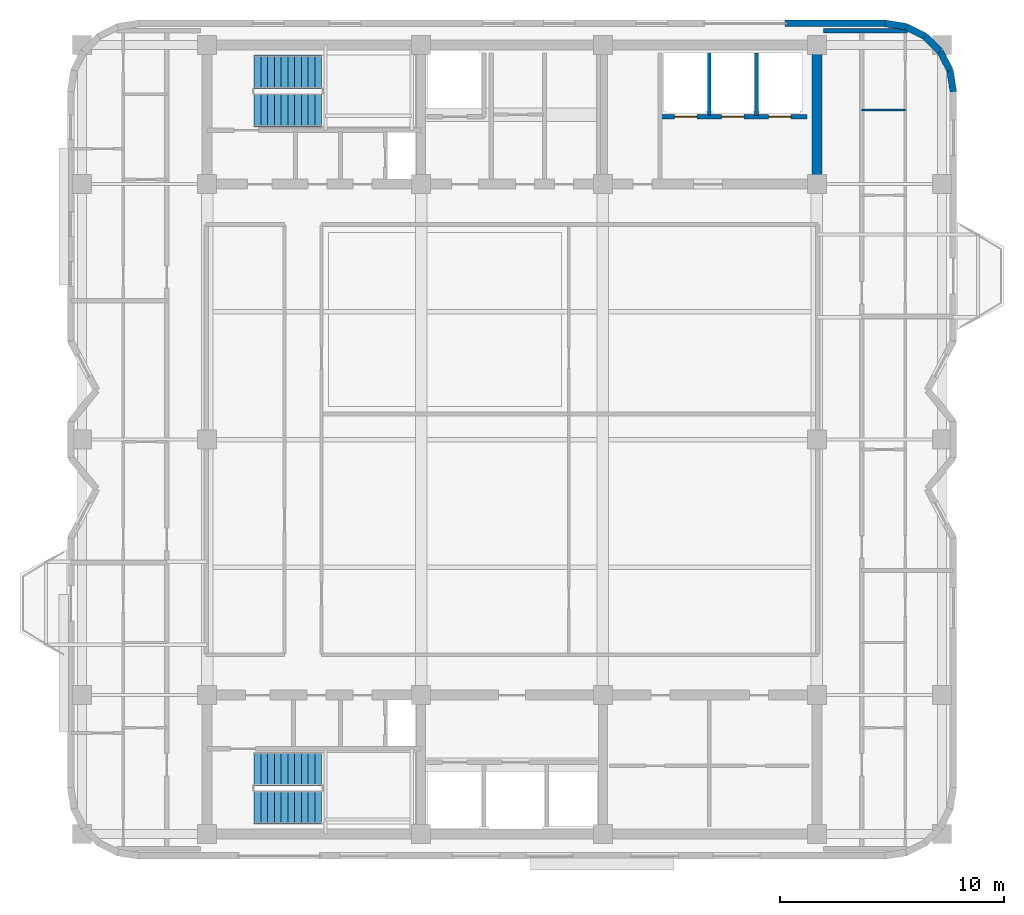
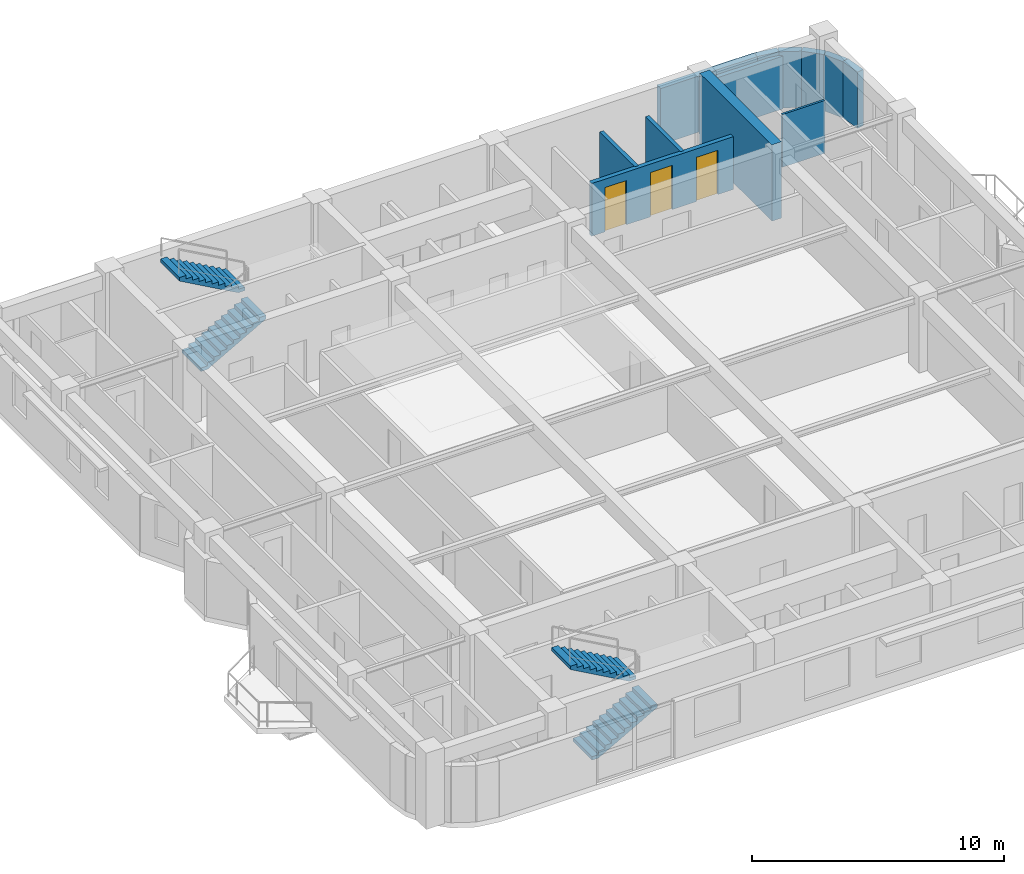
# One storey, part 10 of 12: 12 walls, 4 stair flights, 3 doors, 3 openings, 2 elements without a shape of their own.
"""IFC4 building model written with IfcOpenShell, lengths in metres."""

from ifc_helpers import new_model, si_unit, direction, frame, frame_2d, origin, place, context, subcontext, project, spatial, polyline, rectangle, outline, extrude, material, layer, layer_set, type_object, element, fill, aggregate, save


model = new_model("IFC4")

# Units and contexts
model_context = context("Model", 3, precision=1e-05, world=origin(), true_north=direction((0.0, 1.0)))
body_context = subcontext(model_context, "Body", "Model", "MODEL_VIEW")
ifc_project = project(units=[si_unit("LENGTHUNIT", "METRE"), si_unit("AREAUNIT", "SQUARE_METRE"), si_unit("VOLUMEUNIT", "CUBIC_METRE"), si_unit("PLANEANGLEUNIT", "RADIAN"), si_unit("MASSUNIT", "GRAM", prefix="KILO")], contexts=[model_context])

# Site, building, storey
site_placement = place(None, origin())
site = spatial("IfcSite", under=ifc_project, at=site_placement, CompositionType="ELEMENT")
building_placement = place(site_placement, origin())
building = spatial("IfcBuilding", under=site, at=building_placement, Name="Svetorya Sky Lyceum", CompositionType="ELEMENT")
storey_placement = place(building_placement, frame((0.0, 0.0, 236.89990234375)))
storey = spatial("IfcBuildingStorey", under=building, at=storey_placement, Name="L59", CompositionType="ELEMENT", Elevation=236.89990234375)

# Walls
ifc_material_1 = material(Name="Concrete C50/60", Category="concrete")
ifc_layer_1 = layer(ifc_material_1, 0.449951171875)
ifc_layer_set_1 = layer_set([ifc_layer_1], Name="Concrete C50/60")
wall_type_1 = type_object("IfcWallType", Name="WL-CORE-450", PredefinedType="SHEAR", material=ifc_layer_set_1)
wall_1_placement = place(storey_placement, frame((52.800048828125, 39.824951171875, 0.0), z_axis=(0.0, 0.0, 1.0), x_axis=(0.0, 1.0, 0.0)))
element("IfcWall", 1, at=wall_1_placement, inside=storey, type_object=wall_type_1, Name="L59 NC East Core Shear Wall", PredefinedType="SHEAR", context=body_context, shape_type="SweptSolid", body=[
    extrude(rectangle(XDim=5.75, YDim=0.449951171875, at=frame_2d((2.875, 0.0))), origin(), (0.0, 0.0, 1.0), 3.7001953125),
])
ifc_material_2 = material(Name="Putilovo limestone rainscreen on autoclaved cellular masonry", Category="masonry")
ifc_layer_2 = layer(ifc_material_2, 0.300048828125)
ifc_layer_set_2 = layer_set([ifc_layer_2], Name="Putilovo limestone rainscreen on autoclaved cellular masonry")
wall_type_2 = type_object("IfcWallType", Name="WL-EXT-300", PredefinedType="SOLIDWALL", material=ifc_layer_set_2)
wall_2_placement = place(storey_placement, frame((58.889892578125, 43.719970703125, 0.0), z_axis=(0.0, 0.0, 1.0), x_axis=(-0.156304114255, 0.987708977314, 0.0)))
element("IfcWall", 2, at=wall_2_placement, inside=storey, type_object=wall_type_2, Name="L59 Limestone Exterior Wall 19M", PredefinedType="SOLIDWALL", context=body_context, shape_type="SweptSolid", body=[
    extrude(rectangle(XDim=0.954345703125, YDim=0.300048828125, at=frame_2d((0.47705078125, 0.0))), origin(), (0.0, 0.0, 1.0), 2.72998046875),
])
wall_3_placement = place(storey_placement, frame((58.74072265625, 44.66259765625, 0.0), z_axis=(0.0, 0.0, 1.0), x_axis=(-0.45395644796, 0.891023873617, 0.0)))
element("IfcWall", 3, at=wall_3_placement, inside=storey, type_object=wall_type_2, Name="L59 Limestone Exterior Wall 20M", PredefinedType="SOLIDWALL", context=body_context, shape_type="SweptSolid", body=[
    extrude(rectangle(XDim=0.9541015625, YDim=0.300048828125, at=frame_2d((0.47705078125, 0.0))), origin(), (0.0, 0.0, 1.0), 2.72998046875),
])
for number, where, z_axis, x_axis, name in (
    (4, (58.3076171875, 45.5126953125, 0.0), (0.0, 0.0, 1.0), (-0.707106781187, 0.707106781187, 0.0), "L59 Limestone Exterior Wall 21M"),
    (5, (57.6328125, 46.1875, 0.0), (0.0, 0.0, 1.0), (-0.891076589373, 0.453852962833, 0.0), "L59 Limestone Exterior Wall 22M"),
):
    element("IfcWall", number, at=place(storey_placement, frame(where, z_axis=z_axis, x_axis=x_axis)), inside=storey, type_object=wall_type_2, Name=name, PredefinedType="SOLIDWALL", context=body_context, shape_type="SweptSolid", body=[
        extrude(rectangle(XDim=0.954345703125, YDim=0.300048828125, at=frame_2d((0.47705078125, 0.0))), origin(), (0.0, 0.0, 1.0), 2.72998046875),
    ])
wall_4_placement = place(storey_placement, frame((56.782470703125, 46.62060546875, 0.0), z_axis=(0.0, 0.0, 1.0), x_axis=(-0.987663181641, 0.156593229835, 0.0)))
element("IfcWall", 6, at=wall_4_placement, inside=storey, type_object=wall_type_2, Name="L59 Limestone Exterior Wall 23M", PredefinedType="SOLIDWALL", context=body_context, shape_type="SweptSolid", body=[
    extrude(rectangle(XDim=0.9541015625, YDim=0.300048828125, at=frame_2d((0.47705078125, 0.0))), origin(), (0.0, 0.0, 1.0), 2.72998046875),
])
wall_5_placement = place(storey_placement, frame((55.840087890625, 46.77001953125, 0.0), z_axis=(0.0, 0.0, 1.0), x_axis=(-1.0, 0.0, 0.0)))
element("IfcWall", 7, at=wall_5_placement, inside=storey, type_object=wall_type_2, Name="L59 Limestone Exterior Wall 24A", PredefinedType="SOLIDWALL", context=body_context, shape_type="SweptSolid", body=[
    extrude(rectangle(XDim=4.4501953125, YDim=0.300048828125, at=frame_2d((2.22509765625, 0.0))), origin(), (0.0, 0.0, 1.0), 2.72998046875),
])
ifc_material_3 = material(Name="Galvanized stud partition with moisture-resistant board", Category="gypsum")
ifc_layer_3 = layer(ifc_material_3, 0.10009765625)
ifc_layer_set_3 = layer_set([ifc_layer_3], Name="Galvanized stud partition with moisture-resistant board")
wall_type_3 = type_object("IfcWallType", Name="WL-PART-100", PredefinedType="PARTITIONING", material=ifc_layer_set_3)
wall_6_placement = place(storey_placement, frame((54.800048828125, 42.89990234375, 0.0), z_axis=(0.0, 0.0, 1.0), x_axis=(1.0, 0.0, 0.0)))
element("IfcWall", 8, at=wall_6_placement, inside=storey, type_object=wall_type_3, Name="L59 Interior Partition E3-WH2", PredefinedType="PARTITIONING", context=body_context, shape_type="SweptSolid", body=[
    extrude(rectangle(XDim=1.949951171875, YDim=0.10009765625, at=frame_2d((0.97509765625, 0.0))), origin(), (0.0, 0.0, 1.0), 2.56005859375),
])
ifc_material_4 = material(Name="Autoclaved cellular masonry blockwork with fire render", Category="masonry")
ifc_layer_4 = layer(ifc_material_4, 0.175048828125)
ifc_layer_set_4 = layer_set([ifc_layer_4], Name="Autoclaved cellular masonry blockwork with fire render")
wall_type_4 = type_object("IfcWallType", Name="WL-PART-175", PredefinedType="PARTITIONING", material=ifc_layer_set_4)
for number, where, z_axis, x_axis, name in (
    (9, (48.0, 42.64990234375, 0.0), (0.0, 0.0, 1.0), (0.0, 1.0, 0.0), "L59 Interior Partition NC-PH-D1"),
    (10, (50.10009765625, 42.64990234375, 0.0), (0.0, 0.0, 1.0), (0.0, 1.0, 0.0), "L59 Interior Partition NC-PH-D2"),
):
    element("IfcWall", number, at=place(storey_placement, frame(where, z_axis=z_axis, x_axis=x_axis)), inside=storey, type_object=wall_type_4, Name=name, PredefinedType="PARTITIONING", context=body_context, shape_type="SweptSolid", body=[
        extrude(rectangle(XDim=2.800048828125, YDim=0.175048828125, at=frame_2d((1.39990234375, 0.0))), origin(), (0.0, 0.0, 1.0), 2.56005859375),
    ])

# Wall, openings, doors
ifc_material_5 = material(Name="Autoclaved cellular masonry blockwork with gypsum plaster", Category="masonry")
ifc_layer_5 = layer(ifc_material_5, 0.199951171875)
ifc_layer_set_5 = layer_set([ifc_layer_5], Name="Autoclaved cellular masonry blockwork with gypsum plaster")
wall_type_5 = type_object("IfcWallType", Name="WL-PART-200", PredefinedType="PARTITIONING", material=ifc_layer_set_5)
wall_7_placement = place(storey_placement, frame((52.35009765625, 42.60009765625, 0.0), z_axis=(0.0, 0.0, 1.0), x_axis=(-1.0, 0.0, 0.0)))
wall_7 = element("IfcWall", 11, at=wall_7_placement, inside=storey, type_object=wall_type_5, Name="L59 Interior Partition NC-PHEW", PredefinedType="PARTITIONING", context=body_context, shape_type="SweptSolid", body=[
    extrude(rectangle(XDim=6.5, YDim=0.199951171875, at=frame_2d((3.25, 0.0))), origin(), (0.0, 0.0, 1.0), 2.56005859375),
])
opening_1_placement = place(wall_7_placement, frame((4.89990234375, 0.0, 0.0)))
opening_1 = element("IfcOpeningElement", 12, at=opening_1_placement, cuts=wall_7, Name="Opening LD-P1", PredefinedType="OPENING", context=body_context, shape_type="SweptSolid", body=[
    extrude(rectangle(XDim=1.0, YDim=2.14990234375, at=frame_2d((0.5, 1.074951171875))), frame((0.0, 0.10986328125, 0.0), z_axis=(0.0, -1.0, 0.0), x_axis=(1.0, 0.0, 0.0)), (0.0, 0.0, 1.0), 0.219970703125),
])
opening_2_placement = place(wall_7_placement, frame((2.800048828125, 0.0, 0.0)))
opening_2 = element("IfcOpeningElement", 13, at=opening_2_placement, cuts=wall_7, Name="Opening LD-P1", PredefinedType="OPENING", context=body_context, shape_type="SweptSolid", body=[
    extrude(rectangle(XDim=1.0, YDim=2.14990234375, at=frame_2d((0.5, 1.074951171875))), frame((0.0, 0.10986328125, 0.0), z_axis=(0.0, -1.0, 0.0), x_axis=(1.0, 0.0, 0.0)), (0.0, 0.0, 1.0), 0.219970703125),
])
opening_3_placement = place(wall_7_placement, frame((0.699951171875, 0.0, 0.0)))
opening_3 = element("IfcOpeningElement", 14, at=opening_3_placement, cuts=wall_7, Name="Opening LD-P1", PredefinedType="OPENING", context=body_context, shape_type="SweptSolid", body=[
    extrude(rectangle(XDim=1.0, YDim=2.14990234375, at=frame_2d((0.5, 1.074951171875))), frame((0.0, 0.10986328125, 0.0), z_axis=(0.0, -1.0, 0.0), x_axis=(1.0, 0.0, 0.0)), (0.0, 0.0, 1.0), 0.219970703125),
])
ifc_material_6 = material(Name="Champagne-anodized stainless passenger lift landing door")
door_type = type_object("IfcDoorType", Name="DR-LIFT-1000", OperationType="SLIDING_TO_LEFT", PredefinedType="DOOR", material=ifc_material_6)
door_1_placement = place(opening_1_placement, origin())
door_1 = element("IfcDoor", 15, at=door_1_placement, inside=storey, type_object=door_type, Name="L59 Passenger Lift PH1 Landing Door", OperationType="SLIDING_TO_LEFT", OverallHeight=2.14990234375, OverallWidth=1.0, PredefinedType="DOOR", context=body_context, shape_type="SweptSolid", body=[
    extrude(rectangle(XDim=1.0, YDim=2.14990234375, at=frame_2d((0.5, 1.074951171875))), frame((0.0, 0.02490234375, 0.0), z_axis=(0.0, -1.0, 0.0), x_axis=(1.0, 0.0, 0.0)), (0.0, 0.0, 1.0), 0.050048828125),
])
fill(opening_1, door_1)
door_2_placement = place(opening_2_placement, origin())
door_2 = element("IfcDoor", 16, at=door_2_placement, inside=storey, type_object=door_type, Name="L59 Passenger Lift PH2 Landing Door", OperationType="SLIDING_TO_LEFT", OverallHeight=2.14990234375, OverallWidth=1.0, PredefinedType="DOOR", context=body_context, shape_type="SweptSolid", body=[
    extrude(rectangle(XDim=1.0, YDim=2.14990234375, at=frame_2d((0.5, 1.074951171875))), frame((0.0, 0.02490234375, 0.0), z_axis=(0.0, -1.0, 0.0), x_axis=(1.0, 0.0, 0.0)), (0.0, 0.0, 1.0), 0.050048828125),
])
fill(opening_2, door_2)
door_3_placement = place(opening_3_placement, origin())
door_3 = element("IfcDoor", 17, at=door_3_placement, inside=storey, type_object=door_type, Name="L59 Passenger Lift PH3 Landing Door", OperationType="SLIDING_TO_LEFT", OverallHeight=2.14990234375, OverallWidth=1.0, PredefinedType="DOOR", context=body_context, shape_type="SweptSolid", body=[
    extrude(rectangle(XDim=1.0, YDim=2.14990234375, at=frame_2d((0.5, 1.074951171875))), frame((0.0, 0.02490234375, 0.0), z_axis=(0.0, -1.0, 0.0), x_axis=(1.0, 0.0, 0.0)), (0.0, 0.0, 1.0), 0.050048828125),
])
fill(opening_3, door_3)

# Wall
wall_8_placement = place(storey_placement, frame((53.10009765625, 46.449951171875, 0.0), z_axis=(0.0, 0.0, 1.0), x_axis=(1.0, 0.0, 0.0)))
element("IfcWall", 18, at=wall_8_placement, inside=storey, type_object=wall_type_5, Name="L59 Interior Partition E-CAP-N", PredefinedType="PARTITIONING", context=body_context, shape_type="SweptSolid", body=[
    extrude(rectangle(XDim=3.75390625, YDim=0.199951171875, at=frame_2d((1.876953125, 0.0))), origin(), (0.0, 0.0, 1.0), 2.56005859375),
])

# Stair, stair flights
ifc_material_7 = material(Name="Concrete C40/50", Category="concrete")
stair_type_1 = type_object("IfcStairType", Name="STR-ST-N", PredefinedType="HALF_TURN_STAIR", material=ifc_material_7)
stair_1_placement = place(storey_placement, origin())
stair_1 = element("IfcStair", 19, at=stair_1_placement, inside=storey, type_object=stair_type_1, Name="L59 North Core Smoke-Free Exit Stair N3", PredefinedType="HALF_TURN_STAIR")
stair_flight_type_1 = type_object("IfcStairFlightType", Name="SFL-ST-N", PredefinedType="STRAIGHT", material=ifc_material_7)
stair_flight_1_placement = place(storey_placement, frame((27.699951171875, 42.89990234375, 0.0), z_axis=(0.0, 0.0, 1.0), x_axis=(1.0, 0.0, 0.0)))
stair_flight_1 = element("IfcStairFlight", 20, at=stair_flight_1_placement, type_object=stair_flight_type_1, Name="ST-N flight 1", NumberOfRisers=11, NumberOfTreads=10, PredefinedType="STRAIGHT", RiserHeight=0.168181818, TreadLength=0.3, context=body_context, shape_type="SweptSolid", body=[
    extrude(outline(polyline([(0.0, 0.0), (0.0, 0.168212890625), (0.300048828125, 0.168212890625), (0.300048828125, 0.33642578125), (0.60009765625, 0.33642578125), (0.60009765625, 0.504638671875), (0.89990234375, 0.504638671875), (0.89990234375, 0.672607421875), (1.199951171875, 0.672607421875), (1.199951171875, 0.8408203125), (1.5, 0.8408203125), (1.5, 1.009033203125), (1.800048828125, 1.009033203125), (1.800048828125, 1.17724609375), (2.10009765625, 1.17724609375), (2.10009765625, 1.345458984375), (2.39990234375, 1.345458984375), (2.39990234375, 1.513671875), (2.699951171875, 1.513671875), (2.699951171875, 1.681884765625), (3.0, 1.681884765625), (3.0, 1.85009765625), (3.0, 1.510009765625), (0.306640625, 0.0), (0.0, 0.0)])), frame((0.0, 0.75, 0.0), z_axis=(0.0, -1.0, 0.0), x_axis=(1.0, 0.0, 0.0)), (0.0, 0.0, 1.0), 1.5),
])
stair_flight_2_placement = place(storey_placement, frame((30.699951171875, 44.60009765625, 1.85009765625), z_axis=(0.0, 0.0, 1.0), x_axis=(-1.0, 0.0, 0.0)))
stair_flight_2 = element("IfcStairFlight", 21, at=stair_flight_2_placement, type_object=stair_flight_type_1, Name="ST-N flight 2", NumberOfRisers=11, NumberOfTreads=10, PredefinedType="STRAIGHT", RiserHeight=0.168181818, TreadLength=0.3, context=body_context, shape_type="SweptSolid", body=[
    extrude(outline(polyline([(0.0, 0.0), (0.0, 0.168212890625), (0.300048828125, 0.168212890625), (0.300048828125, 0.33642578125), (0.60009765625, 0.33642578125), (0.60009765625, 0.504638671875), (0.89990234375, 0.504638671875), (0.89990234375, 0.672607421875), (1.199951171875, 0.672607421875), (1.199951171875, 0.8408203125), (1.5, 0.8408203125), (1.5, 1.009033203125), (1.800048828125, 1.009033203125), (1.800048828125, 1.17724609375), (2.10009765625, 1.17724609375), (2.10009765625, 1.345458984375), (2.39990234375, 1.345458984375), (2.39990234375, 1.513671875), (2.699951171875, 1.513671875), (2.699951171875, 1.681884765625), (3.0, 1.681884765625), (3.0, 1.85009765625), (3.0, 1.510009765625), (0.306640625, 0.0), (0.0, 0.0)])), frame((0.0, 0.75, 0.0), z_axis=(0.0, -1.0, 0.0), x_axis=(1.0, 0.0, 0.0)), (0.0, 0.0, 1.0), 1.5),
])
aggregate(stair_1, [stair_flight_1, stair_flight_2])

stair_type_2 = type_object("IfcStairType", Name="STR-ST-S", PredefinedType="HALF_TURN_STAIR", material=ifc_material_7)
stair_2_placement = place(storey_placement, origin())
stair_2 = element("IfcStair", 22, at=stair_2_placement, inside=storey, type_object=stair_type_2, Name="L59 South Core Smoke-Free Exit Stair N2", PredefinedType="HALF_TURN_STAIR")
stair_flight_type_2 = type_object("IfcStairFlightType", Name="SFL-ST-S", PredefinedType="STRAIGHT", material=ifc_material_7)
stair_flight_3_placement = place(storey_placement, frame((27.699951171875, 11.800048828125, 0.0), z_axis=(0.0, 0.0, 1.0), x_axis=(1.0, 0.0, 0.0)))
stair_flight_3 = element("IfcStairFlight", 23, at=stair_flight_3_placement, type_object=stair_flight_type_2, Name="ST-S flight 1", NumberOfRisers=11, NumberOfTreads=10, PredefinedType="STRAIGHT", RiserHeight=0.168181818, TreadLength=0.3, context=body_context, shape_type="SweptSolid", body=[
    extrude(outline(polyline([(0.0, 0.0), (0.0, 0.168212890625), (0.300048828125, 0.168212890625), (0.300048828125, 0.33642578125), (0.60009765625, 0.33642578125), (0.60009765625, 0.504638671875), (0.89990234375, 0.504638671875), (0.89990234375, 0.672607421875), (1.199951171875, 0.672607421875), (1.199951171875, 0.8408203125), (1.5, 0.8408203125), (1.5, 1.009033203125), (1.800048828125, 1.009033203125), (1.800048828125, 1.17724609375), (2.10009765625, 1.17724609375), (2.10009765625, 1.345458984375), (2.39990234375, 1.345458984375), (2.39990234375, 1.513671875), (2.699951171875, 1.513671875), (2.699951171875, 1.681884765625), (3.0, 1.681884765625), (3.0, 1.85009765625), (3.0, 1.510009765625), (0.306640625, 0.0), (0.0, 0.0)])), frame((0.0, 0.75, 0.0), z_axis=(0.0, -1.0, 0.0), x_axis=(1.0, 0.0, 0.0)), (0.0, 0.0, 1.0), 1.5),
])
stair_flight_4_placement = place(storey_placement, frame((30.699951171875, 13.5, 1.85009765625), z_axis=(0.0, 0.0, 1.0), x_axis=(-1.0, 0.0, 0.0)))
stair_flight_4 = element("IfcStairFlight", 24, at=stair_flight_4_placement, type_object=stair_flight_type_2, Name="ST-S flight 2", NumberOfRisers=11, NumberOfTreads=10, PredefinedType="STRAIGHT", RiserHeight=0.168181818, TreadLength=0.3, context=body_context, shape_type="SweptSolid", body=[
    extrude(outline(polyline([(0.0, 0.0), (0.0, 0.168212890625), (0.300048828125, 0.168212890625), (0.300048828125, 0.33642578125), (0.60009765625, 0.33642578125), (0.60009765625, 0.504638671875), (0.89990234375, 0.504638671875), (0.89990234375, 0.672607421875), (1.199951171875, 0.672607421875), (1.199951171875, 0.8408203125), (1.5, 0.8408203125), (1.5, 1.009033203125), (1.800048828125, 1.009033203125), (1.800048828125, 1.17724609375), (2.10009765625, 1.17724609375), (2.10009765625, 1.345458984375), (2.39990234375, 1.345458984375), (2.39990234375, 1.513671875), (2.699951171875, 1.513671875), (2.699951171875, 1.681884765625), (3.0, 1.681884765625), (3.0, 1.85009765625), (3.0, 1.510009765625), (0.306640625, 0.0), (0.0, 0.0)])), frame((0.0, 0.75, 0.0), z_axis=(0.0, -1.0, 0.0), x_axis=(1.0, 0.0, 0.0)), (0.0, 0.0, 1.0), 1.5),
])
aggregate(stair_2, [stair_flight_3, stair_flight_4])

save(model, "model.ifc")
